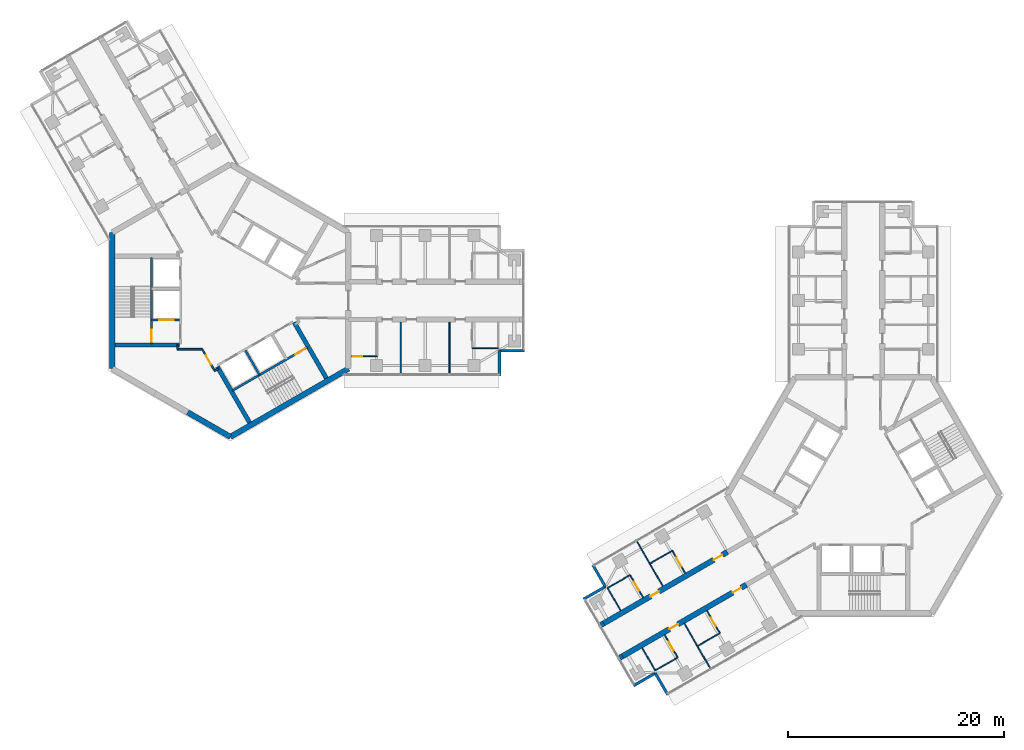
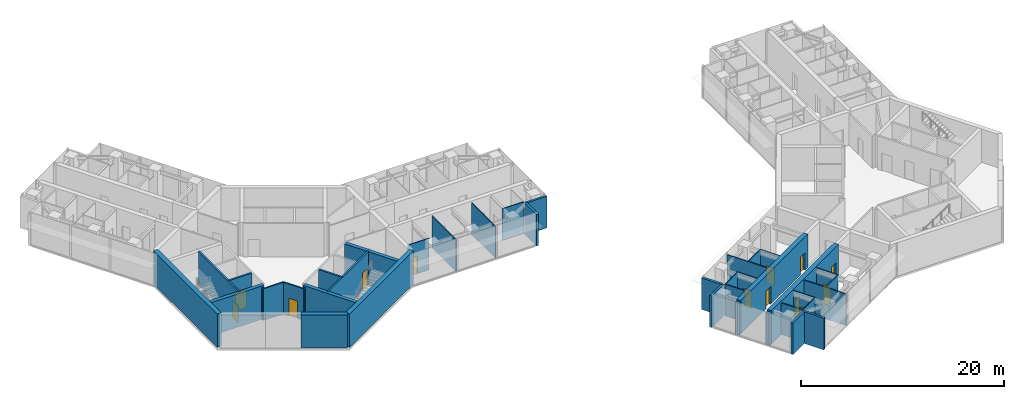
# One storey, part 11 of 18: 40 walls, 13 doors, 13 openings.
"""IFC4 building model written with IfcOpenShell, lengths in metres."""

import ifcopenshell
import ifcopenshell.guid

model = None  # the IFC model being written
_history = None  # IfcOwnerHistory: only IFC2X3 demands one
_inside = {}  # id of a spatial element -> (the spatial element, [elements in it])
_under = {}  # id of a project, library or spatial element -> (it, [spatial elements below it])
_declared = {}  # id of a project -> (the project, [libraries it declares])
_typed = {}  # id of a type object -> (the type object, [elements of that type])
_made_of = {}  # id of a material, layer set ... -> (it, [elements and type objects made of it])


def new_model(schema):
    """Start an empty IFC model of exactly this schema.

    Asked for "IFC4X3", IfcOpenShell would pick the latest addendum, in which some entities
    have other attributes; the version numbers below select the first issue.
    IFC2X3 requires an IfcOwnerHistory on every rooted entity: one is made here for all.
    """
    global model, _history
    if schema == "IFC4X3":
        model = ifcopenshell.file(schema_version=(4, 3, 0, 0))
    else:
        model = ifcopenshell.file(schema=schema)
    _inside.clear()
    _under.clear()
    _declared.clear()
    _typed.clear()
    _made_of.clear()
    _history = None
    if model.schema == "IFC2X3":
        org = make("IfcOrganization", Name="unknown")
        user = make(
            "IfcPersonAndOrganization",
            ThePerson=make("IfcPerson", FamilyName="unknown"),
            TheOrganization=org,
        )
        app = make(
            "IfcApplication",
            ApplicationDeveloper=org,
            Version="unknown",
            ApplicationFullName="unknown",
            ApplicationIdentifier="unknown",
        )
        _history = make(
            "IfcOwnerHistory",
            OwningUser=user,
            OwningApplication=app,
            ChangeAction="ADDED",
            CreationDate=0,
        )
    return model


def make(cls, **values):
    """One entity of the class cls with the attributes given. An attribute that is None is left unset."""
    return model.create_entity(
        cls, **{name: value for name, value in values.items() if value is not None}
    )


def rooted(cls, **values):
    """An entity with a GlobalId (a new one), such as an element, a storey or a relation."""
    return make(cls, GlobalId=ifcopenshell.guid.new(), OwnerHistory=_history, **values)


def si_unit(unit_type, name, prefix=None):
    """IfcSIUnit, for example si_unit("LENGTHUNIT", "METRE", prefix="MILLI")."""
    return make("IfcSIUnit", UnitType=unit_type, Prefix=prefix, Name=name)


def assignment(units):
    """IfcUnitAssignment: the units of a project."""
    return None if units is None else make("IfcUnitAssignment", Units=units)


def point(xyz):
    """IfcCartesianPoint."""
    return None if xyz is None else make("IfcCartesianPoint", Coordinates=xyz)


def direction(xyz):
    """IfcDirection."""
    return None if xyz is None else make("IfcDirection", DirectionRatios=xyz)


def frame(location, z_axis=None, x_axis=None):
    """IfcAxis2Placement3D, a coordinate frame: its origin and axes. An axis left out is left unset."""
    return make(
        "IfcAxis2Placement3D",
        Location=point(location),
        Axis=direction(z_axis),
        RefDirection=direction(x_axis),
    )


def frame_2d(location, x_axis=None):
    """IfcAxis2Placement2D, a coordinate frame in the plane: its origin and x axis."""
    return make(
        "IfcAxis2Placement2D", Location=point(location), RefDirection=direction(x_axis)
    )


def origin():
    """The frame at (0, 0, 0) with its axes left unset."""
    return frame((0.0, 0.0, 0.0))


def place(relative_to, where):
    """IfcLocalPlacement: puts the frame where relative to a parent placement (None: the world)."""
    return make(
        "IfcLocalPlacement", PlacementRelTo=relative_to, RelativePlacement=where
    )


def context(
    kind, dimensions, precision=None, world=None, true_north=None, identifier=None
):
    """IfcGeometricRepresentationContext, for example the 3D "Model" context."""
    return make(
        "IfcGeometricRepresentationContext",
        ContextIdentifier=identifier,
        ContextType=kind,
        CoordinateSpaceDimension=dimensions,
        Precision=precision,
        WorldCoordinateSystem=world,
        TrueNorth=true_north,
    )


def subcontext(parent, identifier, kind, view, scale=None):
    """IfcGeometricRepresentationSubContext, for example "Body" below "Model"."""
    return make(
        "IfcGeometricRepresentationSubContext",
        ContextIdentifier=identifier,
        ContextType=kind,
        ParentContext=parent,
        TargetScale=scale,
        TargetView=view,
    )


def project(units=None, contexts=None):
    """IfcProject with its units and contexts."""
    return rooted(
        "IfcProject",
        Name="project",
        RepresentationContexts=contexts,
        UnitsInContext=assignment(units),
    )


def spatial(cls, under=None, at=None, **own):
    """A site, building, storey or space (cls), placed at a placement, below another one or the project."""
    s = rooted(cls, ObjectPlacement=at, **own)
    if under is not None:
        _under.setdefault(under.id(), (under, []))[1].append(s)
    return s


def profile(cls, at=None, kind="AREA", **sizes):
    """A parametric profile (cls). Its sizes go by their IFC names, for example OverallWidth=200.0."""
    return make(cls, ProfileType=kind, Position=at, **sizes)


def rectangle(**sizes):
    """IfcRectangleProfileDef."""
    return profile("IfcRectangleProfileDef", **sizes)


def extrude(swept, where, along, depth):
    """IfcExtrudedAreaSolid: the profile swept, set in the frame where, extruded along a direction by depth."""
    return make(
        "IfcExtrudedAreaSolid",
        SweptArea=swept,
        Position=where,
        ExtrudedDirection=direction(along),
        Depth=depth,
    )


def shape(context_of_items, identifier, shape_type, items):
    """IfcShapeRepresentation: the items that make up one representation, for example the "Body"."""
    return make(
        "IfcShapeRepresentation",
        ContextOfItems=context_of_items,
        RepresentationIdentifier=identifier,
        RepresentationType=shape_type,
        Items=items,
    )


def material(Name=None, Category=None):
    """IfcMaterial."""
    return make("IfcMaterial", Name=Name, Category=Category)


def layer(
    of_material, thickness, ventilated=None, Name=None, Category=None, Priority=None
):
    """IfcMaterialLayer: one layer of a wall or slab, of a material (None: an air gap)."""
    return make(
        "IfcMaterialLayer",
        Material=of_material,
        LayerThickness=thickness,
        IsVentilated=ventilated,
        Name=Name,
        Category=Category,
        Priority=Priority,
    )


def layer_set(layers, Name=None):
    """IfcMaterialLayerSet."""
    return make("IfcMaterialLayerSet", MaterialLayers=layers, LayerSetName=Name)


def made_of(thing, what):
    """Note that an element or type object is made of a material, layer set ...; save() writes the relation."""
    if what is not None:
        _made_of.setdefault(what.id(), (what, []))[1].append(thing)
    return thing


def type_object(cls, material=None, **own):
    """A type object (cls), such as IfcWallType, which elements share."""
    return made_of(rooted(cls, **own), material)


def element(
    cls,
    number,
    at=None,
    inside=None,
    cuts=None,
    type_object=None,
    material=None,
    context=None,
    identifier="Body",
    shape_type=None,
    held_by="IfcProductDefinitionShape",
    body=None,
    shapes=None,
    **own,
):
    """One element of the class cls, such as IfcWall. Its Tag is "e" and its number.

    at: its placement. inside: the storey or other place that contains it. cuts: it is an
    opening in that element (IfcRelVoidsElement). A single representation is given by context,
    identifier, shape_type and body (its items); several are given by shapes. held_by: the class
    of the entity that holds the representations. save() writes the other relations.
    """
    e = rooted(cls, Tag="e%d" % number, ObjectPlacement=at, **own)
    if body is not None:
        shapes = [shape(context, identifier, shape_type, body)]
    if shapes is not None:
        e.Representation = make(held_by, Representations=shapes)
    if inside is not None:
        _inside.setdefault(inside.id(), (inside, []))[1].append(e)
    if cuts is not None:
        rooted(
            "IfcRelVoidsElement", RelatingBuildingElement=cuts, RelatedOpeningElement=e
        )
    if type_object is not None:
        _typed.setdefault(type_object.id(), (type_object, []))[1].append(e)
    return made_of(e, material)


def fill(opening, filler):
    """IfcRelFillsElement: the door or window that sits in an opening."""
    return rooted(
        "IfcRelFillsElement",
        RelatingOpeningElement=opening,
        RelatedBuildingElement=filler,
    )


def aggregate(whole, parts):
    """IfcRelAggregates: a whole, such as a stair, and the parts it consists of."""
    return rooted("IfcRelAggregates", RelatingObject=whole, RelatedObjects=parts)


def save(model, path):
    """Write the relations noted so far, then the file.

    IfcRelAggregates (storeys below a building ...), IfcRelContainedInSpatialStructure (elements
    in a storey), IfcRelDefinesByType, IfcRelAssociatesMaterial and IfcRelDeclares: one each for
    every whole, place, type object, material and project.
    """
    for whole, parts in _under.values():
        aggregate(whole, parts)
    for where, things in _inside.values():
        rooted(
            "IfcRelContainedInSpatialStructure",
            RelatedElements=things,
            RelatingStructure=where,
        )
    for kind, things in _typed.values():
        rooted("IfcRelDefinesByType", RelatedObjects=things, RelatingType=kind)
    for what, things in _made_of.values():
        rooted("IfcRelAssociatesMaterial", RelatedObjects=things, RelatingMaterial=what)
    for by, libraries in _declared.values():
        rooted("IfcRelDeclares", RelatingContext=by, RelatedDefinitions=libraries)
    model.write(path)


model = new_model("IFC4")

# Units and contexts
model_context = context("Model", 3, precision=1e-05, world=origin(), true_north=direction((0.0, 1.0)))
body_context = subcontext(model_context, "Body", "Model", "MODEL_VIEW")
ifc_project = project(units=[si_unit("LENGTHUNIT", "METRE"), si_unit("AREAUNIT", "SQUARE_METRE"), si_unit("VOLUMEUNIT", "CUBIC_METRE"), si_unit("PLANEANGLEUNIT", "RADIAN"), si_unit("MASSUNIT", "GRAM", prefix="KILO")], contexts=[model_context])

# Site, building, storey
site_placement = place(None, origin())
site = spatial("IfcSite", under=ifc_project, at=site_placement, CompositionType="ELEMENT")
building_placement = place(site_placement, origin())
building = spatial("IfcBuilding", under=site, at=building_placement, Name="Upepo Twin Towers", CompositionType="ELEMENT")
storey_placement = place(building_placement, frame((0.0, 0.0, 226.5)))
storey = spatial("IfcBuildingStorey", under=building, at=storey_placement, Name="L55", CompositionType="ELEMENT", Elevation=226.5)

# Walls
ifc_material_1 = material(Name="Dense concrete blockwork", Category="masonry")
ifc_layer_1 = layer(ifc_material_1, 0.5)
ifc_layer_set_1 = layer_set([ifc_layer_1], Name="Buttress closer 500, blockwork with fire-stopping to the curtain wall")
wall_type_1 = type_object("IfcWallType", Name="Buttress closer 500, blockwork with fire-stopping to the curtain wall", PredefinedType="PARTITIONING", material=ifc_layer_set_1)
for number, where, z_axis, x_axis, name in (
    (1, (36.252197265625, -32.865478515625, 0.0), (0.0, 0.0, 1.0), (-0.86598763626, -0.500065409566, 0.0), "T2 L55 wing B buttress closer L"),
    (2, (34.502197265625, -29.83447265625, 0.0), (0.0, 0.0, 1.0), (-0.86598763626, -0.500065409566, 0.0), "T2 L55 wing B buttress closer R"),
):
    element("IfcWall", number, at=place(storey_placement, frame(where, z_axis=z_axis, x_axis=x_axis)), inside=storey, type_object=wall_type_1, Name=name, PredefinedType="PARTITIONING", context=body_context, shape_type="SweptSolid", body=[
        extrude(rectangle(XDim=0.28759765625, YDim=0.5, at=frame_2d((0.143798828125, 0.0))), origin(), (0.0, 0.0, 1.0), 3.800048828125),
    ])

# Wall, openings, doors
ifc_material_2 = material(Name="Concrete C60/75", Category="concrete")
ifc_layer_2 = layer(ifc_material_2, 0.5)
ifc_layer_set_2 = layer_set([ifc_layer_2], Name="Concrete C60/75")
wall_type_2 = type_object("IfcWallType", Name="Buttress wall 500 RC", PredefinedType="SHEAR", material=ifc_layer_set_2)
wall_1_placement = place(storey_placement, frame((47.68359375, -26.265625, 0.0), z_axis=(0.0, 0.0, 1.0), x_axis=(-0.866027579429, -0.499996231654, 0.0)))
wall_1 = element("IfcWall", 3, at=wall_1_placement, inside=storey, type_object=wall_type_2, Name="T2 wing B buttress wall L part 2", PredefinedType="SHEAR", context=body_context, shape_type="SweptSolid", body=[
    extrude(rectangle(XDim=13.19970703125, YDim=0.5, at=frame_2d((6.599853515625, 0.0))), origin(), (0.0, 0.0, 1.0), 4.0),
])
opening_1_placement = place(wall_1_placement, frame((0.550048828125, 0.0, 0.0)))
opening_1 = element("IfcOpeningElement", 4, at=opening_1_placement, cuts=wall_1, Name="Opening D14", PredefinedType="OPENING", context=body_context, shape_type="SweptSolid", body=[
    extrude(rectangle(XDim=0.89990234375, YDim=2.10009765625, at=frame_2d((0.449951171875, 1.050048828125))), frame((0.0, 0.260009765625, 0.0), z_axis=(0.0, -1.0, 0.0), x_axis=(1.0, 0.0, 0.0)), (0.0, 0.0, 1.0), 0.52001953125),
])
opening_2_placement = place(wall_1_placement, frame((7.300048828125, 0.0, 0.0)))
opening_2 = element("IfcOpeningElement", 5, at=opening_2_placement, cuts=wall_1, Name="Opening D14", PredefinedType="OPENING", context=body_context, shape_type="SweptSolid", body=[
    extrude(rectangle(XDim=0.89990234375, YDim=2.10009765625, at=frame_2d((0.449951171875, 1.050048828125))), frame((0.0, 0.260009765625, 0.0), z_axis=(0.0, -1.0, 0.0), x_axis=(1.0, 0.0, 0.0)), (0.0, 0.0, 1.0), 0.52001953125),
])
ifc_material_3 = material(Name="Timber doorset", Category="wood")
door_type_1 = type_object("IfcDoorType", Name="Office door 900 FD30", OperationType="SINGLE_SWING_LEFT", PredefinedType="DOOR", material=ifc_material_3)
door_1_placement = place(opening_1_placement, origin())
door_1 = element("IfcDoor", 6, at=door_1_placement, inside=storey, type_object=door_type_1, Name="T2 L55 business school suite door", OperationType="SINGLE_SWING_LEFT", OverallHeight=2.10009765625, OverallWidth=0.89990234375, PredefinedType="DOOR", context=body_context, shape_type="SweptSolid", body=[
    extrude(rectangle(XDim=0.89990234375, YDim=2.10009765625, at=frame_2d((0.449951171875, 1.050048828125))), frame((0.0, 0.02490234375, 0.0), z_axis=(0.0, -1.0, 0.0), x_axis=(1.0, 0.0, 0.0)), (0.0, 0.0, 1.0), 0.050048828125),
])
fill(opening_1, door_1)
door_2_placement = place(opening_2_placement, origin())
door_2 = element("IfcDoor", 7, at=door_2_placement, inside=storey, type_object=door_type_1, Name="T2 L55 staff office door", OperationType="SINGLE_SWING_RIGHT", OverallHeight=2.10009765625, OverallWidth=0.89990234375, PredefinedType="DOOR", context=body_context, shape_type="SweptSolid", body=[
    extrude(rectangle(XDim=0.89990234375, YDim=2.10009765625, at=frame_2d((0.449951171875, 1.050048828125))), frame((0.0, 0.02490234375, 0.0), z_axis=(0.0, -1.0, 0.0), x_axis=(1.0, 0.0, 0.0)), (0.0, 0.0, 1.0), 0.050048828125),
])
fill(opening_2, door_2)

wall_2_placement = place(storey_placement, frame((45.93359375, -23.234375, 0.0), z_axis=(0.0, 0.0, 1.0), x_axis=(-0.866019570528, -0.500010103361, 0.0)))
wall_2 = element("IfcWall", 8, at=wall_2_placement, inside=storey, type_object=wall_type_2, Name="T2 wing B buttress wall R part 2", PredefinedType="SHEAR", context=body_context, shape_type="SweptSolid", body=[
    extrude(rectangle(XDim=13.199951171875, YDim=0.5, at=frame_2d((6.60009765625, 0.0))), origin(), (0.0, 0.0, 1.0), 4.0),
])
opening_3_placement = place(wall_2_placement, frame((0.550048828125, 0.0, 0.0)))
opening_3 = element("IfcOpeningElement", 9, at=opening_3_placement, cuts=wall_2, Name="Opening D14", PredefinedType="OPENING", context=body_context, shape_type="SweptSolid", body=[
    extrude(rectangle(XDim=0.89990234375, YDim=2.10009765625, at=frame_2d((0.449951171875, 1.050048828125))), frame((0.0, 0.260009765625, 0.0), z_axis=(0.0, -1.0, 0.0), x_axis=(1.0, 0.0, 0.0)), (0.0, 0.0, 1.0), 0.52001953125),
])
opening_4_placement = place(wall_2_placement, frame((7.300048828125, 0.0, 0.0)))
opening_4 = element("IfcOpeningElement", 10, at=opening_4_placement, cuts=wall_2, Name="Opening D14", PredefinedType="OPENING", context=body_context, shape_type="SweptSolid", body=[
    extrude(rectangle(XDim=0.89990234375, YDim=2.10009765625, at=frame_2d((0.449951171875, 1.050048828125))), frame((0.0, 0.260009765625, 0.0), z_axis=(0.0, -1.0, 0.0), x_axis=(1.0, 0.0, 0.0)), (0.0, 0.0, 1.0), 0.52001953125),
])
door_3_placement = place(opening_3_placement, origin())
door_3 = element("IfcDoor", 11, at=door_3_placement, inside=storey, type_object=door_type_1, Name="T2 L55 business school suite door", OperationType="SINGLE_SWING_LEFT", OverallHeight=2.10009765625, OverallWidth=0.89990234375, PredefinedType="DOOR", context=body_context, shape_type="SweptSolid", body=[
    extrude(rectangle(XDim=0.89990234375, YDim=2.10009765625, at=frame_2d((0.449951171875, 1.050048828125))), frame((0.0, 0.02490234375, 0.0), z_axis=(0.0, -1.0, 0.0), x_axis=(1.0, 0.0, 0.0)), (0.0, 0.0, 1.0), 0.050048828125),
])
fill(opening_3, door_3)
door_4_placement = place(opening_4_placement, origin())
door_4 = element("IfcDoor", 12, at=door_4_placement, inside=storey, type_object=door_type_1, Name="T2 L55 meeting room door", OperationType="SINGLE_SWING_RIGHT", OverallHeight=2.10009765625, OverallWidth=0.89990234375, PredefinedType="DOOR", context=body_context, shape_type="SweptSolid", body=[
    extrude(rectangle(XDim=0.89990234375, YDim=2.10009765625, at=frame_2d((0.449951171875, 1.050048828125))), frame((0.0, 0.02490234375, 0.0), z_axis=(0.0, -1.0, 0.0), x_axis=(1.0, 0.0, 0.0)), (0.0, 0.0, 1.0), 0.050048828125),
])
fill(opening_4, door_4)

# Walls
ifc_material_4 = material(Name="Concrete C60/75", Category="concrete")
ifc_layer_3 = layer(ifc_material_4, 0.5)
ifc_layer_set_3 = layer_set([ifc_layer_3], Name="Concrete C60/75")
wall_type_3 = type_object("IfcWallType", Name="Core wall 500 RC", PredefinedType="SHEAR", material=ifc_layer_set_3)
wall_3_placement = place(storey_placement, frame((-10.908447265625, 6.2978515625, 0.0), z_axis=(0.0, 0.0, 1.0), x_axis=(0.0, -1.0, 0.0)))
element("IfcWall", 13, at=wall_3_placement, inside=storey, type_object=wall_type_3, Name="T1 core wall 180", PredefinedType="SHEAR", context=body_context, shape_type="SweptSolid", body=[
    extrude(rectangle(XDim=12.595703125, YDim=0.5, at=frame_2d((6.2978515625, 0.0))), origin(), (0.0, 0.0, 1.0), 4.0),
])
wall_4_placement = place(storey_placement, frame((-3.938720703125, -10.32177734375, 0.0), z_axis=(0.0, 0.0, 1.0), x_axis=(0.866011268655, -0.500024481964, 0.0)))
element("IfcWall", 14, at=wall_4_placement, inside=storey, type_object=wall_type_3, Name="T1 core wall 240 L", PredefinedType="SHEAR", context=body_context, shape_type="SweptSolid", body=[
    extrude(rectangle(XDim=4.548095703125, YDim=0.5, at=frame_2d((2.27392578125, 0.0))), origin(), (0.0, 0.0, 1.0), 4.0),
])
wall_5_placement = place(storey_placement, frame((0.0, -12.595947265625, 0.0), z_axis=(0.0, 0.0, 1.0), x_axis=(0.866021940709, 0.500005998175, 0.0)))
element("IfcWall", 15, at=wall_5_placement, inside=storey, type_object=wall_type_3, Name="T1 core wall 300", PredefinedType="SHEAR", context=body_context, shape_type="SweptSolid", body=[
    extrude(rectangle(XDim=12.595947265625, YDim=0.5, at=frame_2d((6.2978515625, 0.0))), origin(), (0.0, 0.0, 1.0), 4.0),
])
ifc_material_5 = material(Name="Blockwork with anodised aluminium cladding", Category="masonry")
ifc_layer_4 = layer(ifc_material_5, 0.25)
ifc_layer_set_4 = layer_set([ifc_layer_4], Name="Notch cladding wall 250, pale metal")
wall_type_4 = type_object("IfcWallType", Name="Notch cladding wall 250, pale metal", PredefinedType="STANDARD", material=ifc_layer_set_4)
for number, where, z_axis, x_axis, name in (
    (16, (24.875, -6.949951171875, 0.0), (0.0, 0.0, 1.0), (0.0, 1.0, 0.0), "T1 L55 wing A notch wall R1"),
    (17, (24.875, -4.625, 0.0), (0.0, 0.0, 1.0), (1.0, 0.0, 0.0), "T1 L55 wing A notch wall R2"),
    (18, (40.4326171875, -36.456298828125, 0.0), (0.0, 0.0, 1.0), (-0.500046648681, 0.865998469481, 0.0), "T2 L55 wing B notch wall L1"),
    (19, (39.27001953125, -34.44287109375, 0.0), (0.0, 0.0, 1.0), (-0.865998469481, -0.500046648681, 0.0), "T2 L55 wing B notch wall L2"),
    (20, (33.482666015625, -24.418701171875, 0.0), (0.0, 0.0, 1.0), (0.499967891604, -0.866043940782, 0.0), "T2 L55 wing B notch wall R1"),
    (21, (34.64501953125, -26.43212890625, 0.0), (0.0, 0.0, 1.0), (-0.865998469481, -0.500046648681, 0.0), "T2 L55 wing B notch wall R2"),
):
    element("IfcWall", number, at=place(storey_placement, frame(where, z_axis=z_axis, x_axis=x_axis)), inside=storey, type_object=wall_type_4, Name=name, PredefinedType="STANDARD", context=body_context, shape_type="SweptSolid", body=[
        extrude(rectangle(XDim=2.324951171875, YDim=0.25, at=frame_2d((1.16259765625, 0.0))), origin(), (0.0, 0.0, 1.0), 3.800048828125),
    ])
ifc_material_6 = material(Name="Gypsum board on steel studs", Category="steel")
ifc_layer_5 = layer(ifc_material_6, 0.10009765625)
ifc_layer_set_5 = layer_set([ifc_layer_5], Name="Office partition 100 stud")
wall_type_5 = type_object("IfcWallType", Name="Office partition 100 stud", PredefinedType="PARTITIONING", material=ifc_layer_set_5)
for number, where, z_axis, x_axis, name in (
    (22, (15.75, -2.0, 0.0), (0.0, 0.0, 1.0), (0.0, -1.0, 0.0), "T1 partition AR at 15.75"),
    (23, (20.25, -2.0, 0.0), (0.0, 0.0, 1.0), (0.0, -1.0, 0.0), "T1 partition AR at 20.25"),
):
    element("IfcWall", number, at=place(storey_placement, frame(where, z_axis=z_axis, x_axis=x_axis)), inside=storey, type_object=wall_type_5, Name=name, PredefinedType="PARTITIONING", context=body_context, shape_type="SweptSolid", body=[
        extrude(rectangle(XDim=4.75, YDim=0.10009765625, at=frame_2d((2.375, 0.0))), origin(), (0.0, 0.0, 1.0), 3.800048828125),
    ])
wall_6_placement = place(storey_placement, frame((22.35009765625, -4.39990234375, 0.0), z_axis=(0.0, 0.0, 1.0), x_axis=(1.0, 0.0, 0.0)))
element("IfcWall", 24, at=wall_6_placement, inside=storey, type_object=wall_type_5, Name="T1 inner room partition AR at 22.35", PredefinedType="PARTITIONING", context=body_context, shape_type="SweptSolid", body=[
    extrude(rectangle(XDim=2.39990234375, YDim=0.10009765625, at=frame_2d((1.199951171875, 0.0))), origin(), (0.0, 0.0, 1.0), 3.800048828125),
])

# Wall, opening, door
wall_7_placement = place(storey_placement, frame((11.157958984375, -5.14990234375, 0.0), z_axis=(0.0, 0.0, 1.0), x_axis=(1.0, 0.0, 0.0)))
wall_7 = element("IfcWall", 25, at=wall_7_placement, inside=storey, type_object=wall_type_5, Name="T1 WC bay partition AR at 11.16", PredefinedType="PARTITIONING", context=body_context, shape_type="SweptSolid", body=[
    extrude(rectangle(XDim=2.400146484375, YDim=0.10009765625, at=frame_2d((1.2001953125, 0.0))), origin(), (0.0, 0.0, 1.0), 3.800048828125),
])
opening_5_placement = place(wall_7_placement, frame((0.14990234375, 0.0, 0.0)))
opening_5 = element("IfcOpeningElement", 26, at=opening_5_placement, cuts=wall_7, Name="Opening D14", PredefinedType="OPENING", context=body_context, shape_type="SweptSolid", body=[
    extrude(rectangle(XDim=0.89990234375, YDim=2.10009765625, at=frame_2d((0.449951171875, 1.050048828125))), frame((0.0, 0.06005859375, 0.0), z_axis=(0.0, -1.0, 0.0), x_axis=(1.0, 0.0, 0.0)), (0.0, 0.0, 1.0), 0.1201171875),
])
door_5_placement = place(opening_5_placement, origin())
door_5 = element("IfcDoor", 27, at=door_5_placement, inside=storey, type_object=door_type_1, Name="T1 L55 WC bay inner room door", OperationType="SINGLE_SWING_LEFT", OverallHeight=2.10009765625, OverallWidth=0.89990234375, PredefinedType="DOOR", context=body_context, shape_type="SweptSolid", body=[
    extrude(rectangle(XDim=0.89990234375, YDim=2.10009765625, at=frame_2d((0.449951171875, 1.050048828125))), frame((0.0, 0.02490234375, 0.0), z_axis=(0.0, -1.0, 0.0), x_axis=(1.0, 0.0, 0.0)), (0.0, 0.0, 1.0), 0.050048828125),
])
fill(opening_5, door_5)

# Walls
wall_8_placement = place(storey_placement, frame((41.962890625, -29.85693359375, 0.0), z_axis=(0.0, 0.0, 1.0), x_axis=(0.499986429846, -0.866033238375, 0.0)))
element("IfcWall", 28, at=wall_8_placement, inside=storey, type_object=wall_type_5, Name="T2 partition BL at 20.25", PredefinedType="PARTITIONING", context=body_context, shape_type="SweptSolid", body=[
    extrude(rectangle(XDim=4.750244140625, YDim=0.10009765625, at=frame_2d((2.375, 0.0))), origin(), (0.0, 0.0, 1.0), 3.800048828125),
])
wall_9_placement = place(storey_placement, frame((45.241455078125, -30.735595703125, 0.0), z_axis=(0.0, 0.0, 1.0), x_axis=(-0.866024647952, -0.500001309137, 0.0)))
element("IfcWall", 29, at=wall_9_placement, inside=storey, type_object=wall_type_5, Name="T2 inner room partition BL at 17.85", PredefinedType="PARTITIONING", context=body_context, shape_type="SweptSolid", body=[
    extrude(rectangle(XDim=2.39990234375, YDim=0.10009765625, at=frame_2d((1.199951171875, 0.0))), origin(), (0.0, 0.0, 1.0), 3.800048828125),
])

# Wall, opening, door
wall_10_placement = place(storey_placement, frame((44.04150390625, -28.656982421875, 0.0), z_axis=(0.0, 0.0, 1.0), x_axis=(0.499957262057, -0.866050077142, 0.0)))
wall_10 = element("IfcWall", 30, at=wall_10_placement, inside=storey, type_object=wall_type_5, Name="T2 inner room partition BL end at 17.85", PredefinedType="PARTITIONING", context=body_context, shape_type="SweptSolid", body=[
    extrude(rectangle(XDim=2.400146484375, YDim=0.10009765625, at=frame_2d((1.2001953125, 0.0))), origin(), (0.0, 0.0, 1.0), 3.800048828125),
])
opening_6_placement = place(wall_10_placement, frame((0.75, 0.0, 0.0)))
opening_6 = element("IfcOpeningElement", 31, at=opening_6_placement, cuts=wall_10, Name="Opening D14", PredefinedType="OPENING", context=body_context, shape_type="SweptSolid", body=[
    extrude(rectangle(XDim=0.89990234375, YDim=2.10009765625, at=frame_2d((0.449951171875, 1.050048828125))), frame((0.0, 0.06005859375, 0.0), z_axis=(0.0, -1.0, 0.0), x_axis=(1.0, 0.0, 0.0)), (0.0, 0.0, 1.0), 0.1201171875),
])
door_6_placement = place(opening_6_placement, origin())
door_6 = element("IfcDoor", 32, at=door_6_placement, inside=storey, type_object=door_type_1, Name="T2 L55 inner room door", OperationType="SINGLE_SWING_LEFT", OverallHeight=2.10009765625, OverallWidth=0.89990234375, PredefinedType="DOOR", context=body_context, shape_type="SweptSolid", body=[
    extrude(rectangle(XDim=0.89990234375, YDim=2.10009765625, at=frame_2d((0.449951171875, 1.050048828125))), frame((0.0, 0.02490234375, 0.0), z_axis=(0.0, -1.0, 0.0), x_axis=(1.0, 0.0, 0.0)), (0.0, 0.0, 1.0), 0.050048828125),
])
fill(opening_6, door_6)

# Wall
wall_11_placement = place(storey_placement, frame((41.34423828125, -32.985595703125, 0.0), z_axis=(0.0, 0.0, 1.0), x_axis=(-0.866024647952, -0.500001309137, 0.0)))
element("IfcWall", 33, at=wall_11_placement, inside=storey, type_object=wall_type_5, Name="T2 inner room partition BL at 22.35", PredefinedType="PARTITIONING", context=body_context, shape_type="SweptSolid", body=[
    extrude(rectangle(XDim=2.39990234375, YDim=0.10009765625, at=frame_2d((1.199951171875, 0.0))), origin(), (0.0, 0.0, 1.0), 3.800048828125),
])

# Wall, opening, door
wall_12_placement = place(storey_placement, frame((40.144287109375, -30.906982421875, 0.0), z_axis=(0.0, 0.0, 1.0), x_axis=(0.499957262057, -0.866050077142, 0.0)))
wall_12 = element("IfcWall", 34, at=wall_12_placement, inside=storey, type_object=wall_type_5, Name="T2 inner room partition BL end at 22.35", PredefinedType="PARTITIONING", context=body_context, shape_type="SweptSolid", body=[
    extrude(rectangle(XDim=2.400146484375, YDim=0.10009765625, at=frame_2d((1.2001953125, 0.0))), origin(), (0.0, 0.0, 1.0), 3.800048828125),
])
opening_7_placement = place(wall_12_placement, frame((0.75, 0.0, 0.0)))
opening_7 = element("IfcOpeningElement", 35, at=opening_7_placement, cuts=wall_12, Name="Opening D14", PredefinedType="OPENING", context=body_context, shape_type="SweptSolid", body=[
    extrude(rectangle(XDim=0.89990234375, YDim=2.10009765625, at=frame_2d((0.449951171875, 1.050048828125))), frame((0.0, 0.06005859375, 0.0), z_axis=(0.0, -1.0, 0.0), x_axis=(1.0, 0.0, 0.0)), (0.0, 0.0, 1.0), 0.1201171875),
])
door_7_placement = place(opening_7_placement, origin())
door_7 = element("IfcDoor", 36, at=door_7_placement, inside=storey, type_object=door_type_1, Name="T2 L55 inner room door", OperationType="SINGLE_SWING_LEFT", OverallHeight=2.10009765625, OverallWidth=0.89990234375, PredefinedType="DOOR", context=body_context, shape_type="SweptSolid", body=[
    extrude(rectangle(XDim=0.89990234375, YDim=2.10009765625, at=frame_2d((0.449951171875, 1.050048828125))), frame((0.0, 0.02490234375, 0.0), z_axis=(0.0, -1.0, 0.0), x_axis=(1.0, 0.0, 0.0)), (0.0, 0.0, 1.0), 0.050048828125),
])
fill(opening_7, door_7)

# Walls
wall_13_placement = place(storey_placement, frame((38.06591796875, -32.10693359375, 0.0), z_axis=(0.0, 0.0, 1.0), x_axis=(0.499957262057, -0.866050077142, 0.0)))
element("IfcWall", 37, at=wall_13_placement, inside=storey, type_object=wall_type_5, Name="T2 inner room partition BL end at 24.75", PredefinedType="PARTITIONING", context=body_context, shape_type="SweptSolid", body=[
    extrude(rectangle(XDim=2.400146484375, YDim=0.10009765625, at=frame_2d((1.2001953125, 0.0))), origin(), (0.0, 0.0, 1.0), 3.800048828125),
])
wall_14_placement = place(storey_placement, frame((39.962890625, -26.39306640625, 0.0), z_axis=(0.0, 0.0, 1.0), x_axis=(-0.499986429846, 0.866033238375, 0.0)))
element("IfcWall", 38, at=wall_14_placement, inside=storey, type_object=wall_type_5, Name="T2 partition BR at 20.25", PredefinedType="PARTITIONING", context=body_context, shape_type="SweptSolid", body=[
    extrude(rectangle(XDim=4.750244140625, YDim=0.10009765625, at=frame_2d((2.375, 0.0))), origin(), (0.0, 0.0, 1.0), 3.800048828125),
])
wall_15_placement = place(storey_placement, frame((40.841552734375, -23.114501953125, 0.0), z_axis=(0.0, 0.0, 1.0), x_axis=(-0.866050077142, -0.499957262057, 0.0)))
element("IfcWall", 39, at=wall_15_placement, inside=storey, type_object=wall_type_5, Name="T2 inner room partition BR at 17.85", PredefinedType="PARTITIONING", context=body_context, shape_type="SweptSolid", body=[
    extrude(rectangle(XDim=2.400146484375, YDim=0.10009765625, at=frame_2d((1.2001953125, 0.0))), origin(), (0.0, 0.0, 1.0), 3.800048828125),
])

# Wall, opening, door
wall_16_placement = place(storey_placement, frame((42.04150390625, -25.19287109375, 0.0), z_axis=(0.0, 0.0, 1.0), x_axis=(-0.500001309137, 0.866024647952, 0.0)))
wall_16 = element("IfcWall", 40, at=wall_16_placement, inside=storey, type_object=wall_type_5, Name="T2 inner room partition BR end at 17.85", PredefinedType="PARTITIONING", context=body_context, shape_type="SweptSolid", body=[
    extrude(rectangle(XDim=2.39990234375, YDim=0.10009765625, at=frame_2d((1.199951171875, 0.0))), origin(), (0.0, 0.0, 1.0), 3.800048828125),
])
opening_8_placement = place(wall_16_placement, frame((0.75, 0.0, 0.0)))
opening_8 = element("IfcOpeningElement", 41, at=opening_8_placement, cuts=wall_16, Name="Opening D14", PredefinedType="OPENING", context=body_context, shape_type="SweptSolid", body=[
    extrude(rectangle(XDim=0.89990234375, YDim=2.10009765625, at=frame_2d((0.449951171875, 1.050048828125))), frame((0.0, 0.06005859375, 0.0), z_axis=(0.0, -1.0, 0.0), x_axis=(1.0, 0.0, 0.0)), (0.0, 0.0, 1.0), 0.1201171875),
])
door_8_placement = place(opening_8_placement, origin())
door_8 = element("IfcDoor", 42, at=door_8_placement, inside=storey, type_object=door_type_1, Name="T2 L55 inner room door", OperationType="SINGLE_SWING_LEFT", OverallHeight=2.10009765625, OverallWidth=0.89990234375, PredefinedType="DOOR", context=body_context, shape_type="SweptSolid", body=[
    extrude(rectangle(XDim=0.89990234375, YDim=2.10009765625, at=frame_2d((0.449951171875, 1.050048828125))), frame((0.0, 0.02490234375, 0.0), z_axis=(0.0, -1.0, 0.0), x_axis=(1.0, 0.0, 0.0)), (0.0, 0.0, 1.0), 0.050048828125),
])
fill(opening_8, door_8)

# Wall
wall_17_placement = place(storey_placement, frame((36.9443359375, -25.364501953125, 0.0), z_axis=(0.0, 0.0, 1.0), x_axis=(-0.866024647952, -0.500001309137, 0.0)))
element("IfcWall", 43, at=wall_17_placement, inside=storey, type_object=wall_type_5, Name="T2 inner room partition BR at 22.35", PredefinedType="PARTITIONING", context=body_context, shape_type="SweptSolid", body=[
    extrude(rectangle(XDim=2.39990234375, YDim=0.10009765625, at=frame_2d((1.199951171875, 0.0))), origin(), (0.0, 0.0, 1.0), 3.800048828125),
])

# Wall, opening, door
wall_18_placement = place(storey_placement, frame((38.144287109375, -27.44287109375, 0.0), z_axis=(0.0, 0.0, 1.0), x_axis=(-0.500001309137, 0.866024647952, 0.0)))
wall_18 = element("IfcWall", 44, at=wall_18_placement, inside=storey, type_object=wall_type_5, Name="T2 inner room partition BR end at 22.35", PredefinedType="PARTITIONING", context=body_context, shape_type="SweptSolid", body=[
    extrude(rectangle(XDim=2.39990234375, YDim=0.10009765625, at=frame_2d((1.199951171875, 0.0))), origin(), (0.0, 0.0, 1.0), 3.800048828125),
])
opening_9_placement = place(wall_18_placement, frame((0.75, 0.0, 0.0)))
opening_9 = element("IfcOpeningElement", 45, at=opening_9_placement, cuts=wall_18, Name="Opening D14", PredefinedType="OPENING", context=body_context, shape_type="SweptSolid", body=[
    extrude(rectangle(XDim=0.89990234375, YDim=2.10009765625, at=frame_2d((0.449951171875, 1.050048828125))), frame((0.0, 0.06005859375, 0.0), z_axis=(0.0, -1.0, 0.0), x_axis=(1.0, 0.0, 0.0)), (0.0, 0.0, 1.0), 0.1201171875),
])
door_9_placement = place(opening_9_placement, origin())
door_9 = element("IfcDoor", 46, at=door_9_placement, inside=storey, type_object=door_type_1, Name="T2 L55 inner room door", OperationType="SINGLE_SWING_LEFT", OverallHeight=2.10009765625, OverallWidth=0.89990234375, PredefinedType="DOOR", context=body_context, shape_type="SweptSolid", body=[
    extrude(rectangle(XDim=0.89990234375, YDim=2.10009765625, at=frame_2d((0.449951171875, 1.050048828125))), frame((0.0, 0.02490234375, 0.0), z_axis=(0.0, -1.0, 0.0), x_axis=(1.0, 0.0, 0.0)), (0.0, 0.0, 1.0), 0.050048828125),
])
fill(opening_9, door_9)

# Wall
wall_19_placement = place(storey_placement, frame((36.06591796875, -28.64306640625, 0.0), z_axis=(0.0, 0.0, 1.0), x_axis=(-0.499957262057, 0.866050077142, 0.0)))
element("IfcWall", 47, at=wall_19_placement, inside=storey, type_object=wall_type_5, Name="T2 inner room partition BR end at 24.75", PredefinedType="PARTITIONING", context=body_context, shape_type="SweptSolid", body=[
    extrude(rectangle(XDim=2.400146484375, YDim=0.10009765625, at=frame_2d((1.2001953125, 0.0))), origin(), (0.0, 0.0, 1.0), 3.800048828125),
])

# Wall, opening, door
ifc_material_7 = material(Name="Concrete C40/50", Category="concrete")
ifc_layer_6 = layer(ifc_material_7, 0.199951171875)
ifc_layer_set_6 = layer_set([ifc_layer_6], Name="Concrete C40/50")
wall_type_6 = type_object("IfcWallType", Name="Shaft wall 200 RC", PredefinedType="SHEAR", material=ifc_layer_set_6)
wall_20_placement = place(storey_placement, frame((-4.699951171875, -1.800048828125, 0.0), z_axis=(0.0, 0.0, 1.0), x_axis=(-1.0, 0.0, 0.0)))
wall_20 = element("IfcWall", 48, at=wall_20_placement, inside=storey, type_object=wall_type_6, Name="T1 core W180 lobby wall", PredefinedType="SHEAR", context=body_context, shape_type="SweptSolid", body=[
    extrude(rectangle(XDim=2.60009765625, YDim=0.199951171875, at=frame_2d((1.300048828125, 0.0))), origin(), (0.0, 0.0, 1.0), 4.0),
])
opening_10_placement = place(wall_20_placement, frame((0.550048828125, 0.0, 0.0)))
opening_10 = element("IfcOpeningElement", 49, at=opening_10_placement, cuts=wall_20, Name="Opening LD2", PredefinedType="OPENING", context=body_context, shape_type="SweptSolid", body=[
    extrude(rectangle(XDim=1.300048828125, YDim=2.199951171875, at=frame_2d((0.64990234375, 1.10009765625))), frame((0.0, 0.10986328125, 0.0), z_axis=(0.0, -1.0, 0.0), x_axis=(1.0, 0.0, 0.0)), (0.0, 0.0, 1.0), 0.219970703125),
])
ifc_material_8 = material(Name="Steel doorset", Category="steel")
door_type_2 = type_object("IfcDoorType", Name="Firefighting lift landing door 1300", OperationType="DOUBLE_DOOR_SLIDING", PredefinedType="DOOR", material=ifc_material_8)
door_10_placement = place(opening_10_placement, origin())
door_10 = element("IfcDoor", 50, at=door_10_placement, inside=storey, type_object=door_type_2, Name="T1 L55 firefighting lift landing door", OperationType="DOUBLE_DOOR_SLIDING", OverallHeight=2.199951171875, OverallWidth=1.300048828125, PredefinedType="DOOR", context=body_context, shape_type="SweptSolid", body=[
    extrude(rectangle(XDim=1.300048828125, YDim=2.199951171875, at=frame_2d((0.64990234375, 1.10009765625))), frame((0.0, 0.02490234375, 0.0), z_axis=(0.0, -1.0, 0.0), x_axis=(1.0, 0.0, 0.0)), (0.0, 0.0, 1.0), 0.050048828125),
])
fill(opening_10, door_10)

wall_21_placement = place(storey_placement, frame((-7.300048828125, 4.0, 0.0), z_axis=(0.0, 0.0, 1.0), x_axis=(0.0, -1.0, 0.0)))
wall_21 = element("IfcWall", 51, at=wall_21_placement, inside=storey, type_object=wall_type_6, Name="T1 core W180 stair wall", PredefinedType="SHEAR", context=body_context, shape_type="SweptSolid", body=[
    extrude(rectangle(XDim=8.0, YDim=0.199951171875, at=frame_2d((4.0, 0.0))), origin(), (0.0, 0.0, 1.0), 4.0),
])
opening_11_placement = place(wall_21_placement, frame((6.699951171875, 0.0, 0.0)))
opening_11 = element("IfcOpeningElement", 52, at=opening_11_placement, cuts=wall_21, Name="Opening D3", PredefinedType="OPENING", context=body_context, shape_type="SweptSolid", body=[
    extrude(rectangle(XDim=1.10009765625, YDim=2.10009765625, at=frame_2d((0.550048828125, 1.050048828125))), frame((0.0, 0.10986328125, 0.0), z_axis=(0.0, -1.0, 0.0), x_axis=(1.0, 0.0, 0.0)), (0.0, 0.0, 1.0), 0.219970703125),
])
ifc_material_9 = material(Name="Timber doorset", Category="wood")
door_type_3 = type_object("IfcDoorType", Name="Stair door 1100 FD60", OperationType="SINGLE_SWING_LEFT", PredefinedType="DOOR", material=ifc_material_9)
door_11_placement = place(opening_11_placement, origin())
door_11 = element("IfcDoor", 53, at=door_11_placement, inside=storey, type_object=door_type_3, Name="T1 L55 stair door", OperationType="SINGLE_SWING_RIGHT", OverallHeight=2.10009765625, OverallWidth=1.10009765625, PredefinedType="DOOR", context=body_context, shape_type="SweptSolid", body=[
    extrude(rectangle(XDim=1.10009765625, YDim=2.10009765625, at=frame_2d((0.550048828125, 1.050048828125))), frame((0.0, 0.02490234375, 0.0), z_axis=(0.0, -1.0, 0.0), x_axis=(1.0, 0.0, 0.0)), (0.0, 0.0, 1.0), 0.050048828125),
])
fill(opening_11, door_11)

# Wall
wall_22_placement = place(storey_placement, frame((1.3974609375, -4.620361328125, 0.0), z_axis=(0.0, 0.0, 1.0), x_axis=(0.499936506574, -0.866062058628, 0.0)))
element("IfcWall", 54, at=wall_22_placement, inside=storey, type_object=wall_type_6, Name="T1 core W300 shaft divider", PredefinedType="SHEAR", context=body_context, shape_type="SweptSolid", body=[
    extrude(rectangle(XDim=2.599853515625, YDim=0.199951171875, at=frame_2d((1.2998046875, 0.0))), origin(), (0.0, 0.0, 1.0), 4.0),
])

# Wall, opening, door
wall_23_placement = place(storey_placement, frame((0.185791015625, -8.322021484375, 0.0), z_axis=(0.0, 0.0, 1.0), x_axis=(0.866026010844, 0.49999894854, 0.0)))
wall_23 = element("IfcWall", 55, at=wall_23_placement, inside=storey, type_object=wall_type_6, Name="T1 core W300 stair wall", PredefinedType="SHEAR", context=body_context, shape_type="SweptSolid", body=[
    extrude(rectangle(XDim=8.0, YDim=0.199951171875, at=frame_2d((4.0, 0.0))), origin(), (0.0, 0.0, 1.0), 4.0),
])
opening_12_placement = place(wall_23_placement, frame((6.699951171875, 0.0, 0.0)))
opening_12 = element("IfcOpeningElement", 56, at=opening_12_placement, cuts=wall_23, Name="Opening D3", PredefinedType="OPENING", context=body_context, shape_type="SweptSolid", body=[
    extrude(rectangle(XDim=1.10009765625, YDim=2.10009765625, at=frame_2d((0.550048828125, 1.050048828125))), frame((0.0, 0.10986328125, 0.0), z_axis=(0.0, -1.0, 0.0), x_axis=(1.0, 0.0, 0.0)), (0.0, 0.0, 1.0), 0.219970703125),
])
door_12_placement = place(opening_12_placement, origin())
door_12 = element("IfcDoor", 57, at=door_12_placement, inside=storey, type_object=door_type_3, Name="T1 L55 stair door", OperationType="SINGLE_SWING_RIGHT", OverallHeight=2.10009765625, OverallWidth=1.10009765625, PredefinedType="DOOR", context=body_context, shape_type="SweptSolid", body=[
    extrude(rectangle(XDim=1.10009765625, YDim=2.10009765625, at=frame_2d((0.550048828125, 1.050048828125))), frame((0.0, 0.02490234375, 0.0), z_axis=(0.0, -1.0, 0.0), x_axis=(1.0, 0.0, 0.0)), (0.0, 0.0, 1.0), 0.050048828125),
])
fill(opening_12, door_12)

# Walls
ifc_material_10 = material(Name="Concrete C40/50", Category="concrete")
ifc_layer_7 = layer(ifc_material_10, 0.39990234375)
ifc_layer_set_7 = layer_set([ifc_layer_7], Name="Concrete C40/50")
wall_type_7 = type_object("IfcWallType", Name="Shaft wall 400 RC", PredefinedType="SHEAR", material=ifc_layer_set_7)
for number, where, z_axis, x_axis, name in (
    (58, (-4.699951171875, -4.10009765625, 0.0), (0.0, 0.0, 1.0), (-1.0, 0.0, 0.0), "T1 core W180 side wall N"),
    (59, (5.900634765625, -2.020263671875, 0.0), (0.0, 0.0, 1.0), (0.500003832394, -0.86602319114, 0.0), "T1 core W300 side wall N"),
):
    element("IfcWall", number, at=place(storey_placement, frame(where, z_axis=z_axis, x_axis=x_axis)), inside=storey, type_object=wall_type_7, Name=name, PredefinedType="SHEAR", context=body_context, shape_type="SweptSolid", body=[
        extrude(rectangle(XDim=5.95849609375, YDim=0.39990234375, at=frame_2d((2.979248046875, 0.0))), origin(), (0.0, 0.0, 1.0), 4.0),
    ])
wall_24_placement = place(storey_placement, frame((-1.20068359375, -6.120361328125, 0.0), z_axis=(0.0, 0.0, 1.0), x_axis=(0.500021575205, -0.866012946976, 0.0)))
element("IfcWall", 60, at=wall_24_placement, inside=storey, type_object=wall_type_7, Name="T1 core W300 side wall S", PredefinedType="SHEAR", context=body_context, shape_type="SweptSolid", body=[
    extrude(rectangle(XDim=5.958251953125, YDim=0.39990234375, at=frame_2d((2.97900390625, 0.0))), origin(), (0.0, 0.0, 1.0), 4.0),
])
ifc_material_11 = material(Name="Gypsum board on steel studs", Category="steel")
ifc_layer_8 = layer(ifc_material_11, 0.14990234375)
ifc_layer_set_8 = layer_set([ifc_layer_8], Name="Teaching partition 150 acoustic")
wall_type_8 = type_object("IfcWallType", Name="Teaching partition 150 acoustic", PredefinedType="PARTITIONING", material=ifc_layer_set_8)
wall_25_placement = place(storey_placement, frame((-1.092041015625, -6.28857421875, 0.0), z_axis=(0.0, 0.0, 1.0), x_axis=(-0.866138304741, -0.499804398801, 0.0)))
element("IfcWall", 61, at=wall_25_placement, inside=storey, type_object=wall_type_8, Name="T1 core room partition 2", PredefinedType="PARTITIONING", context=body_context, shape_type="SweptSolid", body=[
    extrude(rectangle(XDim=0.429931640625, YDim=0.14990234375, at=frame_2d((0.21484375, 0.0))), origin(), (0.0, 0.0, 1.0), 3.800048828125),
])

# Wall, opening, door
wall_26_placement = place(storey_placement, frame((-1.43701171875, -6.5107421875, 0.0), z_axis=(0.0, 0.0, 1.0), x_axis=(-0.500074377092, 0.865982457891, 0.0)))
wall_26 = element("IfcWall", 62, at=wall_26_placement, inside=storey, type_object=wall_type_8, Name="T1 core room partition 3", PredefinedType="PARTITIONING", context=body_context, shape_type="SweptSolid", body=[
    extrude(rectangle(XDim=2.342041015625, YDim=0.14990234375, at=frame_2d((1.1708984375, 0.0))), origin(), (0.0, 0.0, 1.0), 3.800048828125),
])
opening_13_placement = place(wall_26_placement, frame((0.6708984375, 0.0, 0.0)))
opening_13 = element("IfcOpeningElement", 63, at=opening_13_placement, cuts=wall_26, Name="Opening D1", PredefinedType="OPENING", context=body_context, shape_type="SweptSolid", body=[
    extrude(rectangle(XDim=1.0, YDim=2.10009765625, at=frame_2d((0.5, 1.050048828125))), frame((0.0, 0.0849609375, 0.0), z_axis=(0.0, -1.0, 0.0), x_axis=(1.0, 0.0, 0.0)), (0.0, 0.0, 1.0), 0.169921875),
])
ifc_material_12 = material(Name="Timber doorset", Category="wood")
door_type_4 = type_object("IfcDoorType", Name="Room door 1000 FD30", OperationType="SINGLE_SWING_LEFT", PredefinedType="DOOR", material=ifc_material_12)
door_13_placement = place(opening_13_placement, origin())
door_13 = element("IfcDoor", 64, at=door_13_placement, inside=storey, type_object=door_type_4, Name="T1 L55 core room door K1", OperationType="SINGLE_SWING_RIGHT", OverallHeight=2.10009765625, OverallWidth=1.0, PredefinedType="DOOR", context=body_context, shape_type="SweptSolid", body=[
    extrude(rectangle(XDim=1.0, YDim=2.10009765625, at=frame_2d((0.5, 1.050048828125))), frame((0.0, 0.02490234375, 0.0), z_axis=(0.0, -1.0, 0.0), x_axis=(1.0, 0.0, 0.0)), (0.0, 0.0, 1.0), 0.050048828125),
])
fill(opening_13, door_13)

# Walls
wall_27_placement = place(storey_placement, frame((-2.578125, -4.5, 0.0), z_axis=(0.0, 0.0, 1.0), x_axis=(-1.0, 0.0, 0.0)))
element("IfcWall", 65, at=wall_27_placement, inside=storey, type_object=wall_type_8, Name="T1 core room partition 4", PredefinedType="PARTITIONING", context=body_context, shape_type="SweptSolid", body=[
    extrude(rectangle(XDim=2.341796875, YDim=0.14990234375, at=frame_2d((1.1708984375, 0.0))), origin(), (0.0, 0.0, 1.0), 3.800048828125),
])
wall_28_placement = place(storey_placement, frame((-4.89990234375, -4.52001953125, 0.0), z_axis=(0.0, 0.0, 1.0), x_axis=(0.0, 1.0, 0.0)))
element("IfcWall", 66, at=wall_28_placement, inside=storey, type_object=wall_type_8, Name="T1 core room partition 5", PredefinedType="PARTITIONING", context=body_context, shape_type="SweptSolid", body=[
    extrude(rectangle(XDim=0.429931640625, YDim=0.14990234375, at=frame_2d((0.21484375, 0.0))), origin(), (0.0, 0.0, 1.0), 3.800048828125),
])

save(model, "model.ifc")
